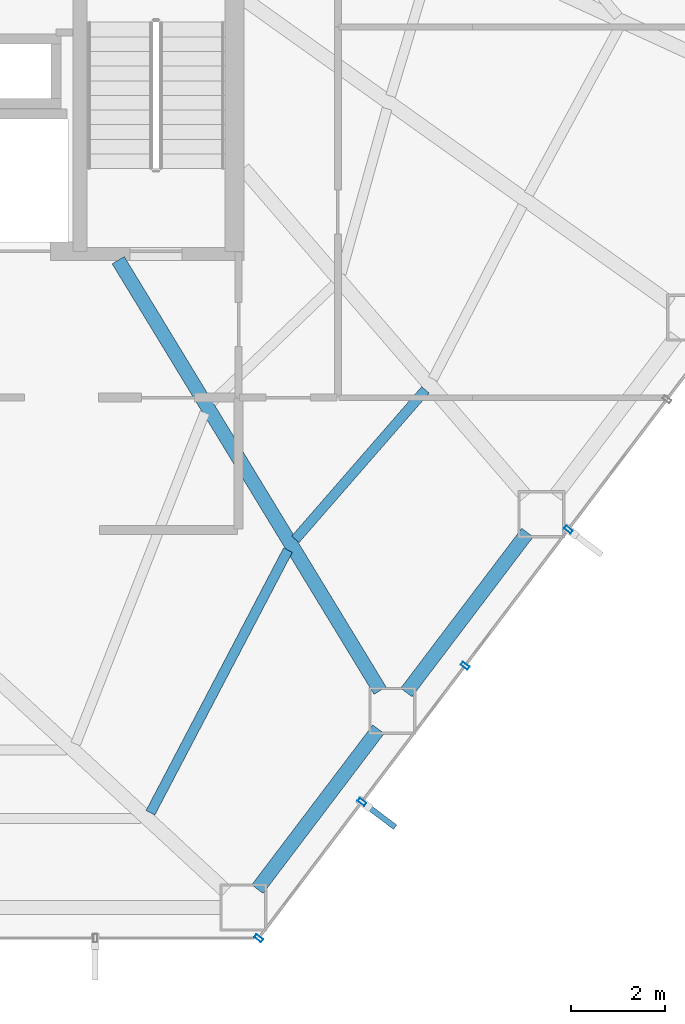
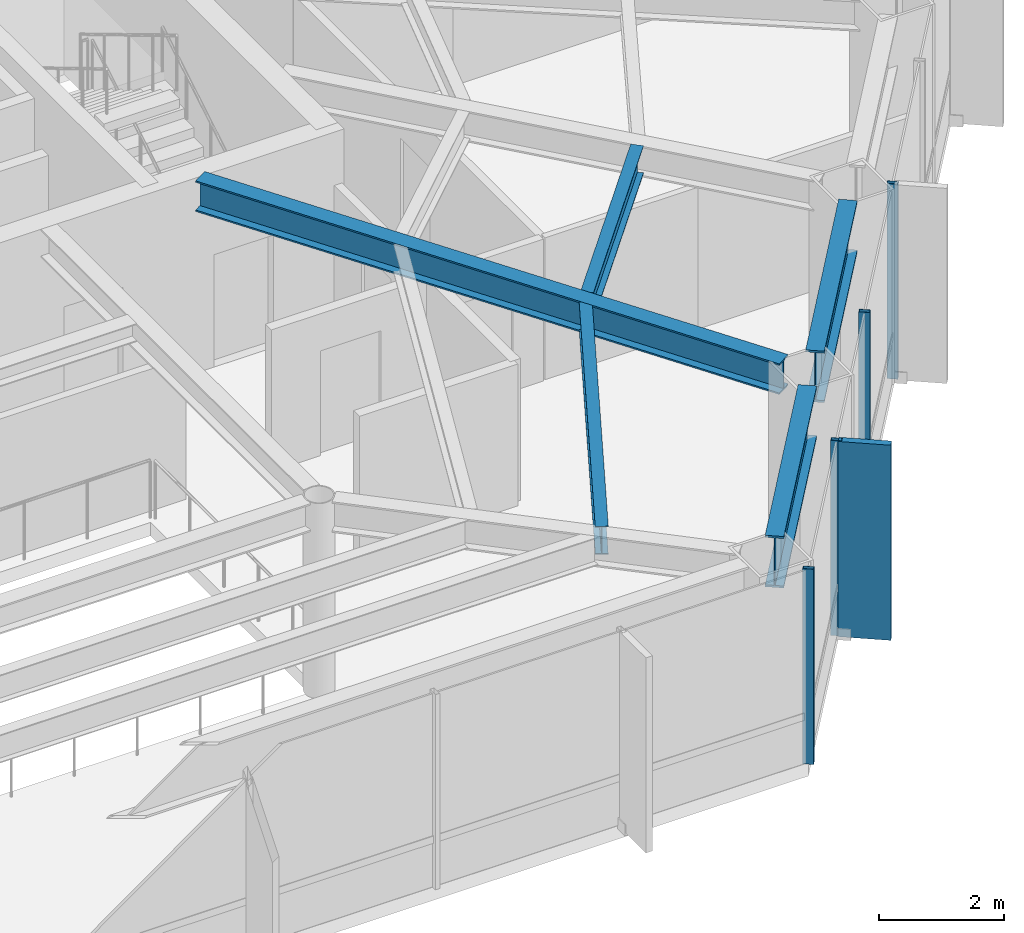
# One storey, part 13 of 24: 5 beams, 5 members, 1 element without a shape of its own.
"""IFC4 building model written with IfcOpenShell, lengths in metres."""

from ifc_helpers import new_model, si_unit, direction, frame, origin, origin_2d, place, context, subcontext, project, spatial, rectangle, hollow_rectangle, i_section, extrude, material, layer, layer_set, material_profile, profile_set, type_object, element, aggregate, save


model = new_model("IFC4")

# Units and contexts
model_context = context("Model", 3, precision=1e-05, world=origin(), true_north=direction((0.0, 1.0)))
body_context = subcontext(model_context, "Body", "Model", "MODEL_VIEW")
ifc_project = project(units=[si_unit("LENGTHUNIT", "METRE"), si_unit("AREAUNIT", "SQUARE_METRE"), si_unit("VOLUMEUNIT", "CUBIC_METRE"), si_unit("PLANEANGLEUNIT", "RADIAN"), si_unit("MASSUNIT", "GRAM", prefix="KILO")], contexts=[model_context])

# Site, building, storey
site_placement = place(None, origin())
site = spatial("IfcSite", under=ifc_project, at=site_placement, CompositionType="ELEMENT")
building_placement = place(site_placement, origin())
building = spatial("IfcBuilding", under=site, at=building_placement, Name="Zarrinselat Tower", CompositionType="ELEMENT")
storey_placement = place(building_placement, frame((0.0, 0.0, 64.260009765625)))
storey = spatial("IfcBuildingStorey", under=building, at=storey_placement, Name="L15", CompositionType="ELEMENT", Elevation=64.260009765625)

# Beams
ifc_material_1 = material(Name="Steel S355J2", Category="steel")
ifc_material_profile_1 = material_profile(ifc_material_1, i_section(OverallWidth=0.300048828125, OverallDepth=0.60009765625, WebThickness=0.015380859375, FlangeThickness=0.030029296875, at=origin_2d()), Name="HEB 600")
ifc_profile_set_1 = profile_set([ifc_material_profile_1], Name="Steel S355J2")
beam_type_1 = type_object("IfcBeamType", Name="BM-HEB600", PredefinedType="BEAM", material=ifc_profile_set_1)
beam_1_placement = place(storey_placement, frame((45.800048828125, 33.06005859375, 3.52001953125), z_axis=(0.519851094676, -0.854256893074, 0.0), x_axis=(0.854256893074, 0.519851094676, 0.0)))
element("IfcBeam", 1, at=beam_1_placement, inside=storey, type_object=beam_type_1, Name="L15 Radial Primary Girder RG12", PredefinedType="BEAM", context=body_context, shape_type="SweptSolid", body=[
    extrude(i_section(OverallWidth=0.300048828125, OverallDepth=0.60009765625, WebThickness=0.015380859375, FlangeThickness=0.030029296875, at=origin_2d()), origin(), (0.0, 0.0, 1.0), 10.666259765625),
])
ifc_material_2 = material(Name="Steel S460M", Category="steel")
ifc_material_profile_2 = material_profile(ifc_material_2, i_section(OverallWidth=0.302001953125, OverallDepth=1.008056640625, WebThickness=0.02099609375, FlangeThickness=0.0400390625, at=origin_2d()), Name="HEM 1000")
ifc_profile_set_2 = profile_set([ifc_material_profile_2], Name="Steel S460M")
beam_type_2 = type_object("IfcBeamType", Name="BM-HEM1000", PredefinedType="BEAM", material=ifc_profile_set_2)
beam_2_placement = place(storey_placement, frame((48.7470703125, 19.74560546875, 3.31591796875), z_axis=(0.603856581056, 0.797092986743, 0.0), x_axis=(-0.797092986743, 0.603856581056, 0.0)))
element("IfcBeam", 2, at=beam_2_placement, inside=storey, type_object=beam_type_2, Name="L15 Perimeter Spandrel Girder SP11", PredefinedType="BEAM", context=body_context, shape_type="SweptSolid", body=[
    extrude(i_section(OverallWidth=0.302001953125, OverallDepth=1.008056640625, WebThickness=0.02099609375, FlangeThickness=0.0400390625, at=origin_2d()), origin(), (0.0, 0.0, 1.0), 4.246337890625),
])
beam_3_placement = place(storey_placement, frame((51.900634765625, 23.908447265625, 3.31591796875), z_axis=(0.603893108207, 0.797065313422, 0.0), x_axis=(-0.797065313422, 0.603893108207, 0.0)))
element("IfcBeam", 3, at=beam_3_placement, inside=storey, type_object=beam_type_2, Name="L15 Perimeter Spandrel Girder SP12", PredefinedType="BEAM", context=body_context, shape_type="SweptSolid", body=[
    extrude(i_section(OverallWidth=0.302001953125, OverallDepth=1.008056640625, WebThickness=0.02099609375, FlangeThickness=0.0400390625, at=origin_2d()), origin(), (0.0, 0.0, 1.0), 4.24658203125),
])
ifc_material_3 = material(Name="Steel S355J2", Category="steel")
ifc_material_profile_3 = material_profile(ifc_material_3, i_section(OverallWidth=0.2099609375, OverallDepth=0.550048828125, WebThickness=0.010986328125, FlangeThickness=0.01708984375, at=origin_2d()), Name="IPE 550")
ifc_profile_set_3 = profile_set([ifc_material_profile_3], Name="Steel S355J2")
beam_type_3 = type_object("IfcBeamType", Name="BM-IPE550", PredefinedType="JOIST", material=ifc_profile_set_3)
beam_4_placement = place(storey_placement, frame((46.482666015625, 21.362548828125, 3.544921875), z_axis=(0.464001180401, 0.885834580826, 0.0), x_axis=(-0.885834580826, 0.464001180401, 0.0)))
element("IfcBeam", 4, at=beam_4_placement, inside=storey, type_object=beam_type_3, Name="L15 Composite Floor Joist 2-1", PredefinedType="JOIST", context=body_context, shape_type="SweptSolid", body=[
    extrude(i_section(OverallWidth=0.2099609375, OverallDepth=0.550048828125, WebThickness=0.010986328125, FlangeThickness=0.01708984375, at=origin_2d()), origin(), (0.0, 0.0, 1.0), 6.276123046875),
])
beam_5_placement = place(storey_placement, frame((49.551513671875, 27.15185546875, 3.544921875), z_axis=(0.656652629957, 0.75419316065, 0.0), x_axis=(-0.75419316065, 0.656652629957, 0.0)))
element("IfcBeam", 5, at=beam_5_placement, inside=storey, type_object=beam_type_3, Name="L15 Composite Floor Joist 3-1", PredefinedType="JOIST", context=body_context, shape_type="SweptSolid", body=[
    extrude(i_section(OverallWidth=0.2099609375, OverallDepth=0.550048828125, WebThickness=0.010986328125, FlangeThickness=0.01708984375, at=origin_2d()), origin(), (0.0, 0.0, 1.0), 4.195068359375),
])

# Curtain wall, members
ifc_material_4 = material(Name="Extruded Aluminium Alloy EN AW-6063 T6", Category="aluminium")
ifc_layer = layer(ifc_material_4, 0.18505859375)
ifc_layer_set = layer_set([ifc_layer], Name="Extruded Aluminium Alloy EN AW-6063 T6")
curtain_wall_type = type_object("IfcCurtainWallType", Name="CWS-OFF", PredefinedType="NOTDEFINED", material=ifc_layer_set)
curtain_wall_placement = place(storey_placement, origin())
curtain_wall = element("IfcCurtainWall", 6, at=curtain_wall_placement, inside=storey, type_object=curtain_wall_type, Name="L15 Unitised Curtain Wall CW-L15-E04", PredefinedType="NOTDEFINED")
ifc_material_5 = material(Name="Extruded Aluminium Alloy EN AW-6063 T6", Category="aluminium")
ifc_material_profile_4 = material_profile(ifc_material_5, hollow_rectangle(XDim=0.080078125, YDim=0.179931640625, WallThickness=0.0048828125, at=origin_2d()), Name="RHS 180x80x5")
ifc_profile_set_4 = profile_set([ifc_material_profile_4], Name="Extruded Aluminium Alloy EN AW-6063 T6")
member_type_1 = type_object("IfcMemberType", Name="MEM-CW-MUL", PredefinedType="MULLION", material=ifc_profile_set_4)
member_1_placement = place(storey_placement, frame((55.3291015625, 27.357421875, 0.0), z_axis=(0.0, 0.0, 1.0), x_axis=(-0.603859195889, -0.797091005808, 0.0)))
member_1 = element("IfcMember", 7, at=member_1_placement, type_object=member_type_1, Name="CW-L15-E04 Mullion 3", PredefinedType="MULLION", context=body_context, shape_type="SweptSolid", body=[
    extrude(hollow_rectangle(XDim=0.080078125, YDim=0.179931640625, WallThickness=0.0048828125, at=origin_2d()), origin(), (0.0, 0.0, 1.0), 3.820068359375),
])
member_2_placement = place(storey_placement, frame((53.144287109375, 24.4736328125, 0.0), z_axis=(0.0, 0.0, 1.0), x_axis=(-0.603859195889, -0.797091005808, 0.0)))
member_2 = element("IfcMember", 8, at=member_2_placement, type_object=member_type_1, Name="CW-L15-E04 Mullion 4", PredefinedType="MULLION", context=body_context, shape_type="SweptSolid", body=[
    extrude(hollow_rectangle(XDim=0.080078125, YDim=0.179931640625, WallThickness=0.0048828125, at=origin_2d()), origin(), (0.0, 0.0, 1.0), 3.820068359375),
])
member_3_placement = place(storey_placement, frame((50.9599609375, 21.590087890625, 0.0), z_axis=(0.0, 0.0, 1.0), x_axis=(-0.603859195889, -0.797091005808, 0.0)))
member_3 = element("IfcMember", 9, at=member_3_placement, type_object=member_type_1, Name="CW-L15-E04 Mullion 5", PredefinedType="MULLION", context=body_context, shape_type="SweptSolid", body=[
    extrude(hollow_rectangle(XDim=0.080078125, YDim=0.179931640625, WallThickness=0.0048828125, at=origin_2d()), origin(), (0.0, 0.0, 1.0), 3.820068359375),
])
member_4_placement = place(storey_placement, frame((48.775390625, 18.70654296875, 0.0), z_axis=(0.0, 0.0, 1.0), x_axis=(-0.603859195889, -0.797091005808, 0.0)))
member_4 = element("IfcMember", 10, at=member_4_placement, type_object=member_type_1, Name="CW-L15-E04 Mullion 6", PredefinedType="MULLION", context=body_context, shape_type="SweptSolid", body=[
    extrude(hollow_rectangle(XDim=0.080078125, YDim=0.179931640625, WallThickness=0.0048828125, at=origin_2d()), origin(), (0.0, 0.0, 1.0), 3.820068359375),
])
ifc_material_6 = material(Name="Honed Cream Travertine Stone", Category="masonry")
ifc_material_profile_5 = material_profile(ifc_material_6, rectangle(XDim=0.1201171875, YDim=0.85009765625, at=origin_2d()), Name="FIN 850x120")
ifc_profile_set_5 = profile_set([ifc_material_profile_5], Name="Honed Cream Travertine Stone")
member_type_2 = type_object("IfcMemberType", Name="MEM-STONE-FIN", PredefinedType="USERDEFINED", material=ifc_profile_set_5)
member_5_placement = place(storey_placement, frame((51.32666015625, 21.312255859375, 0.0), z_axis=(0.0, 0.0, 1.0), x_axis=(-0.603859195889, -0.797091005808, 0.0)))
member_5 = element("IfcMember", 11, at=member_5_placement, type_object=member_type_2, Name="L15 Stone Shading Fin CW-L15-E04-05", ObjectType="FIN", PredefinedType="USERDEFINED", context=body_context, shape_type="SweptSolid", body=[
    extrude(rectangle(XDim=0.1201171875, YDim=0.85009765625, at=origin_2d()), origin(), (0.0, 0.0, 1.0), 3.820068359375),
])
aggregate(curtain_wall, [member_1, member_2, member_3, member_5, member_4])

save(model, "model.ifc")
